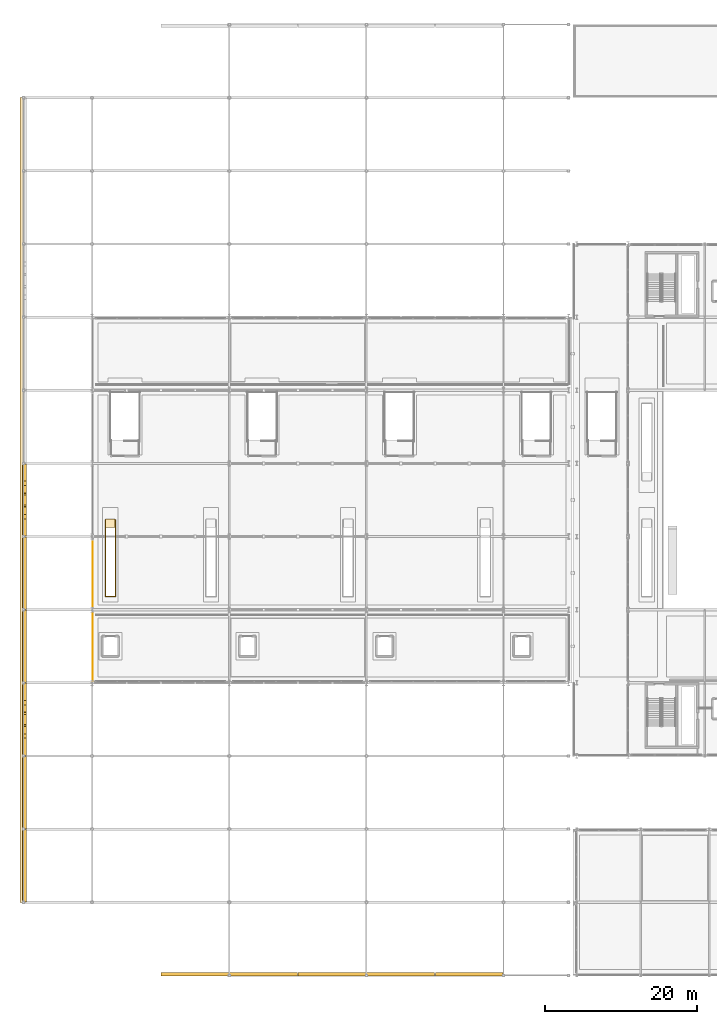
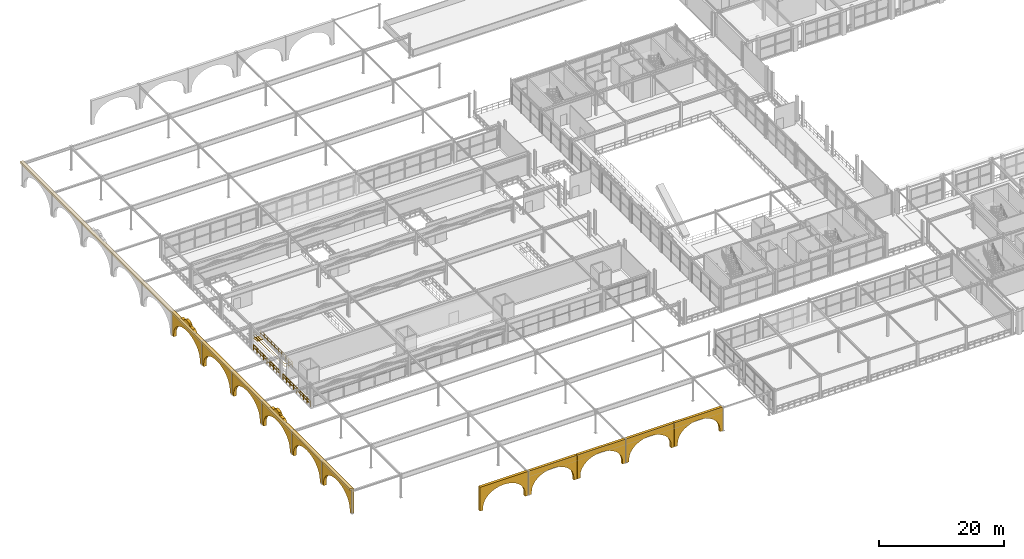
# One storey, part 93 of 125: 13 coverings, 3 railings.
"""IFC4 building model written with IfcOpenShell, lengths in metres."""

from ifc_helpers import new_model, si_unit, direction, frame, origin, origin_2d, place, context, subcontext, project, spatial, polyline, rectangle, outline, extrude, material, layer, layer_set, type_object, element, save


model = new_model("IFC4")

# Units and contexts
model_context = context("Model", 3, precision=1e-05, world=origin(), true_north=direction((0.0, 1.0)))
body_context = subcontext(model_context, "Body", "Model", "MODEL_VIEW")
ifc_project = project(units=[si_unit("LENGTHUNIT", "METRE"), si_unit("AREAUNIT", "SQUARE_METRE"), si_unit("VOLUMEUNIT", "CUBIC_METRE"), si_unit("PLANEANGLEUNIT", "RADIAN"), si_unit("MASSUNIT", "GRAM", prefix="KILO")], contexts=[model_context])

# Site, building, storey
site_placement = place(None, origin())
site = spatial("IfcSite", under=ifc_project, at=site_placement, CompositionType="ELEMENT")
building_placement = place(site_placement, origin())
building = spatial("IfcBuilding", under=site, at=building_placement, Name="Myrtia Square Station", CompositionType="ELEMENT")
storey_placement = place(building_placement, frame((0.0, 0.0, 6.0)))
storey = spatial("IfcBuildingStorey", under=building, at=storey_placement, Name="L01", CompositionType="ELEMENT", Elevation=6.0)

# Coverings
ifc_material_1 = material(Name="Pentelic marble ashlar", Category="masonry")
ifc_layer_1 = layer(ifc_material_1, 0.4599609375, Name="Pentelic marble ashlar")
ifc_layer_set_1 = layer_set([ifc_layer_1], Name="Pentelic marble ashlar")
covering_type_1 = type_object("IfcCoveringType", Name="COV-ARCH-ASHLAR", PredefinedType="CLADDING", material=ifc_layer_set_1)
for number, where, z_axis, x_axis, name in (
    (1, (0.14990234375, 9.64990234375, -0.050048828125), (0.0, 0.0, 1.0), (0.0, 1.0, 0.0), "Train shed west track-throat portal arch 052"),
    (2, (0.14990234375, 19.25, -0.050048828125), (0.0, 0.0, 1.0), (0.0, 1.0, 0.0), "Train shed west track-throat portal arch 053"),
):
    element("IfcCovering", number, at=place(storey_placement, frame(where, z_axis=z_axis, x_axis=x_axis)), inside=storey, type_object=covering_type_1, Name=name, PredefinedType="CLADDING", context=body_context, shape_type="SweptSolid", body=[
        extrude(outline(polyline([(0.0, 0.0), (0.550048828125, 0.0), (0.550048828125, 0.550048828125), (0.630615234375, 1.16455078125), (0.86962890625, 1.755615234375), (1.2578125, 2.300048828125), (1.7802734375, 2.77734375), (2.41650390625, 3.169189453125), (3.142822265625, 3.460205078125), (3.9306640625, 3.639404296875), (4.75, 3.699951171875), (5.5693359375, 3.639404296875), (6.357177734375, 3.460205078125), (7.08349609375, 3.169189453125), (7.7197265625, 2.77734375), (8.2421875, 2.300048828125), (8.63037109375, 1.755615234375), (8.869384765625, 1.16455078125), (8.949951171875, 0.550048828125), (8.949951171875, 0.0), (9.5, 0.0), (9.5, 4.670166015625), (0.0, 4.670166015625), (0.0, 0.0)])), frame((0.0, 0.25, 0.0), z_axis=(0.0, -1.0, 0.0), x_axis=(1.0, 0.0, 0.0)), (0.0, 0.0, 1.0), 0.5),
    ])
covering_1_placement = place(storey_placement, frame((0.14990234375, 28.85009765625, -0.050048828125), z_axis=(0.0, 0.0, 1.0), x_axis=(0.0, 1.0, 0.0)))
element("IfcCovering", 3, at=covering_1_placement, inside=storey, type_object=covering_type_1, Name="Train shed west track-throat portal arch 054", PredefinedType="CLADDING", context=body_context, shape_type="SweptSolid", body=[
    extrude(outline(polyline([(0.0, 0.0), (0.550048828125, 0.0), (0.550048828125, 0.550048828125), (0.630615234375, 1.16455078125), (0.86962890625, 1.755615234375), (1.2578125, 2.300048828125), (1.7802734375, 2.77734375), (2.41650390625, 3.169189453125), (3.142822265625, 3.460205078125), (3.9306640625, 3.639404296875), (4.75, 3.699951171875), (5.5693359375, 3.639404296875), (6.357177734375, 3.460205078125), (7.08349609375, 3.169189453125), (7.7197265625, 2.77734375), (8.2421875, 2.300048828125), (8.63037109375, 1.755615234375), (8.869384765625, 1.16455078125), (8.949951171875, 0.550048828125), (8.949951171875, 0.0), (9.5, 0.0), (9.5, 4.670166015625), (7.219970703125, 4.670166015625), (6.64990234375, 5.132080078125), (5.699951171875, 5.132080078125), (5.627685546875, 5.376220703125), (5.421630859375, 5.583251953125), (5.113525390625, 5.7216796875), (4.75, 5.770263671875), (4.386474609375, 5.7216796875), (4.078369140625, 5.583251953125), (3.872314453125, 5.376220703125), (3.800048828125, 5.132080078125), (2.85009765625, 5.132080078125), (2.280029296875, 4.670166015625), (0.0, 4.670166015625), (0.0, 0.0)])), frame((0.0, 0.25, 0.0), z_axis=(0.0, -1.0, 0.0), x_axis=(1.0, 0.0, 0.0)), (0.0, 0.0, 1.0), 0.5),
])
for number, where, z_axis, x_axis, name in (
    (4, (0.14990234375, 38.449951171875, -0.050048828125), (0.0, 0.0, 1.0), (0.0, 1.0, 0.0), "Train shed west track-throat portal arch 055"),
    (5, (0.14990234375, 48.050048828125, -0.050048828125), (0.0, 0.0, 1.0), (0.0, 1.0, 0.0), "Train shed west track-throat portal arch 056"),
):
    element("IfcCovering", number, at=place(storey_placement, frame(where, z_axis=z_axis, x_axis=x_axis)), inside=storey, type_object=covering_type_1, Name=name, PredefinedType="CLADDING", context=body_context, shape_type="SweptSolid", body=[
        extrude(outline(polyline([(0.0, 0.0), (0.550048828125, 0.0), (0.550048828125, 0.550048828125), (0.630615234375, 1.16455078125), (0.86962890625, 1.755615234375), (1.2578125, 2.300048828125), (1.7802734375, 2.77734375), (2.41650390625, 3.169189453125), (3.142822265625, 3.460205078125), (3.9306640625, 3.639404296875), (4.75, 3.699951171875), (5.5693359375, 3.639404296875), (6.357177734375, 3.460205078125), (7.08349609375, 3.169189453125), (7.7197265625, 2.77734375), (8.2421875, 2.300048828125), (8.63037109375, 1.755615234375), (8.869384765625, 1.16455078125), (8.949951171875, 0.550048828125), (8.949951171875, 0.0), (9.5, 0.0), (9.5, 4.670166015625), (0.0, 4.670166015625), (0.0, 0.0)])), frame((0.0, 0.25, 0.0), z_axis=(0.0, -1.0, 0.0), x_axis=(1.0, 0.0, 0.0)), (0.0, 0.0, 1.0), 0.5),
    ])
covering_2_placement = place(storey_placement, frame((0.14990234375, 57.64990234375, -0.050048828125), z_axis=(0.0, 0.0, 1.0), x_axis=(0.0, 1.0, 0.0)))
element("IfcCovering", 6, at=covering_2_placement, inside=storey, type_object=covering_type_1, Name="Train shed west track-throat portal arch 057", PredefinedType="CLADDING", context=body_context, shape_type="SweptSolid", body=[
    extrude(outline(polyline([(0.0, 0.0), (0.550048828125, 0.0), (0.550048828125, 0.550048828125), (0.630615234375, 1.16455078125), (0.86962890625, 1.755615234375), (1.2578125, 2.300048828125), (1.7802734375, 2.77734375), (2.41650390625, 3.169189453125), (3.142822265625, 3.460205078125), (3.9306640625, 3.639404296875), (4.75, 3.699951171875), (5.5693359375, 3.639404296875), (6.357177734375, 3.460205078125), (7.08349609375, 3.169189453125), (7.7197265625, 2.77734375), (8.2421875, 2.300048828125), (8.63037109375, 1.755615234375), (8.869384765625, 1.16455078125), (8.949951171875, 0.550048828125), (8.949951171875, 0.0), (9.5, 0.0), (9.5, 4.670166015625), (7.219970703125, 4.670166015625), (6.64990234375, 5.132080078125), (5.699951171875, 5.132080078125), (5.627685546875, 5.376220703125), (5.421630859375, 5.583251953125), (5.113525390625, 5.7216796875), (4.75, 5.770263671875), (4.386474609375, 5.7216796875), (4.078369140625, 5.583251953125), (3.872314453125, 5.376220703125), (3.800048828125, 5.132080078125), (2.85009765625, 5.132080078125), (2.280029296875, 4.670166015625), (0.0, 4.670166015625), (0.0, 0.0)])), frame((0.0, 0.25, 0.0), z_axis=(0.0, -1.0, 0.0), x_axis=(1.0, 0.0, 0.0)), (0.0, 0.0, 1.0), 0.5),
])
for number, where, z_axis, x_axis, name in (
    (7, (18.050048828125, 0.14990234375, -0.050048828125), (0.0, 0.0, 1.0), (1.0, 0.0, 0.0), "Train shed south clerestory arcade arch 063"),
    (8, (27.050048828125, 0.14990234375, -0.050048828125), (0.0, 0.0, 1.0), (1.0, 0.0, 0.0), "Train shed south clerestory arcade arch 065"),
    (9, (36.050048828125, 0.14990234375, -0.050048828125), (0.0, 0.0, 1.0), (1.0, 0.0, 0.0), "Train shed south clerestory arcade arch 067"),
    (10, (45.050048828125, 0.14990234375, -0.050048828125), (0.0, 0.0, 1.0), (1.0, 0.0, 0.0), "Train shed south clerestory arcade arch 069"),
    (11, (54.050048828125, 0.14990234375, -0.050048828125), (0.0, 0.0, 1.0), (1.0, 0.0, 0.0), "Train shed south clerestory arcade arch 071"),
):
    element("IfcCovering", number, at=place(storey_placement, frame(where, z_axis=z_axis, x_axis=x_axis)), inside=storey, type_object=covering_type_1, Name=name, PredefinedType="CLADDING", context=body_context, shape_type="SweptSolid", body=[
        extrude(outline(polyline([(0.0, 0.0), (0.550048828125, 0.0), (0.550048828125, 0.550048828125), (0.625, 1.16455078125), (0.846923828125, 1.755615234375), (1.207275390625, 2.300048828125), (1.6923828125, 2.77734375), (2.283203125, 3.169189453125), (2.95751953125, 3.460205078125), (3.689208984375, 3.639404296875), (4.449951171875, 3.699951171875), (5.210693359375, 3.639404296875), (5.9423828125, 3.460205078125), (6.61669921875, 3.169189453125), (7.20751953125, 2.77734375), (7.692626953125, 2.300048828125), (8.052978515625, 1.755615234375), (8.27490234375, 1.16455078125), (8.349853515625, 0.550048828125), (8.349853515625, 0.0), (8.89990234375, 0.0), (8.89990234375, 4.670166015625), (0.0, 4.670166015625), (0.0, 0.0)])), frame((0.0, 0.239990234375, 0.0), z_axis=(0.0, -1.0, 0.0), x_axis=(1.0, 0.0, 0.0)), (0.0, 0.0, 1.0), 0.47998046875),
    ])
ifc_layer_2 = layer(ifc_material_1, 0.47998046875, Name="Pentelic marble ashlar")
ifc_layer_set_2 = layer_set([ifc_layer_2], Name="Pentelic marble ashlar")
covering_type_2 = type_object("IfcCoveringType", Name="COV-CORNICE-ASHLAR", PredefinedType="MOLDING", material=ifc_layer_set_2)
covering_3_placement = place(storey_placement, frame((-0.169921875, 62.39990234375, 4.5400390625), z_axis=(0.0, 0.0, 1.0), x_axis=(0.0, 1.0, 0.0)))
element("IfcCovering", 12, at=covering_3_placement, inside=storey, type_object=covering_type_2, Name="Classical entablature cornice moulding 016", PredefinedType="MOLDING", context=body_context, shape_type="SweptSolid", body=[
    extrude(rectangle(XDim=105.60009765625, YDim=0.580078125, at=origin_2d()), origin(), (0.0, 0.0, 1.0), 0.360107421875),
])
ifc_material_2 = material(Name="Terrazzo stone tile", Category="masonry")
ifc_layer_3 = layer(ifc_material_2, 0.02490234375, Name="Terrazzo stone tile")
ifc_layer_set_3 = layer_set([ifc_layer_3], Name="Terrazzo stone tile")
covering_type_3 = type_object("IfcCoveringType", Name="COV-FLR-TERRAZZO", PredefinedType="FLOORING", material=ifc_layer_set_3)
covering_4_placement = place(storey_placement, frame((0.0, 0.0, -0.080078125)))
element("IfcCovering", 13, at=covering_4_placement, inside=storey, type_object=covering_type_3, Name="Escalator ESC-01 upper comb landing", PredefinedType="FLOORING", context=body_context, shape_type="SweptSolid", body=[
    extrude(outline(polyline([(10.780029296875, 58.81005859375), (12.02001953125, 58.81005859375), (12.02001953125, 59.909912109375), (10.780029296875, 59.909912109375), (10.780029296875, 58.81005859375)])), origin(), (0.0, 0.0, 1.0), 0.080078125),
])

# Railings
ifc_material_3 = material(Name="Wrought iron", Category="steel")
railing_type = type_object("IfcRailingType", Name="RL-INT-GUARD-1100", PredefinedType="BALUSTRADE", material=ifc_material_3)
railing_1_placement = place(storey_placement, frame((10.739990234375, 59.81005859375, 0.0)))
element("IfcRailing", 14, at=railing_1_placement, inside=storey, type_object=railing_type, Name="Escalator ESC-01 upper well guard", PredefinedType="BALUSTRADE", context=body_context, shape_type="SweptSolid", body=[
    extrude(rectangle(XDim=0.048095703125, YDim=0.048095703125, at=origin_2d()), frame((0.0, -0.03466796875, 1.09619140625), z_axis=(0.0, -1.0, 0.0), x_axis=(1.0, 0.0, 0.0)), (0.0, 0.0, 1.0), 1.0517578125),
    extrude(rectangle(XDim=0.048095703125, YDim=0.048095703125, at=origin_2d()), frame((0.0, -0.03466796875, 0.58251953125), z_axis=(0.0, -1.0, 0.0), x_axis=(1.0, 0.0, 0.0)), (0.0, 0.0, 1.0), 1.0517578125),
    extrude(rectangle(XDim=0.048095703125, YDim=0.048095703125, at=origin_2d()), frame((0.0, -1.15576171875, 1.09619140625), z_axis=(0.0, -1.0, 0.0), x_axis=(1.0, 0.0, 0.0)), (0.0, 0.0, 1.0), 1.0517578125),
    extrude(rectangle(XDim=0.048095703125, YDim=0.048095703125, at=origin_2d()), frame((0.0, -1.15576171875, 0.58251953125), z_axis=(0.0, -1.0, 0.0), x_axis=(1.0, 0.0, 0.0)), (0.0, 0.0, 1.0), 1.0517578125),
    extrude(rectangle(XDim=0.048095703125, YDim=0.048095703125, at=origin_2d()), frame((0.0, -2.27685546875, 1.09619140625), z_axis=(0.0, -1.0, 0.0), x_axis=(1.0, 0.0, 0.0)), (0.0, 0.0, 1.0), 1.0517578125),
    extrude(rectangle(XDim=0.048095703125, YDim=0.048095703125, at=origin_2d()), frame((0.0, -2.27685546875, 0.58251953125), z_axis=(0.0, -1.0, 0.0), x_axis=(1.0, 0.0, 0.0)), (0.0, 0.0, 1.0), 1.0517578125),
    extrude(rectangle(XDim=0.048095703125, YDim=0.048095703125, at=origin_2d()), frame((0.0, -3.39794921875, 1.09619140625), z_axis=(0.0, -1.0, 0.0), x_axis=(1.0, 0.0, 0.0)), (0.0, 0.0, 1.0), 1.0517578125),
    extrude(rectangle(XDim=0.048095703125, YDim=0.048095703125, at=origin_2d()), frame((0.0, -3.39794921875, 0.58251953125), z_axis=(0.0, -1.0, 0.0), x_axis=(1.0, 0.0, 0.0)), (0.0, 0.0, 1.0), 1.0517578125),
    extrude(rectangle(XDim=0.048095703125, YDim=0.048095703125, at=origin_2d()), frame((0.0, -4.51904296875, 1.09619140625), z_axis=(0.0, -1.0, 0.0), x_axis=(1.0, 0.0, 0.0)), (0.0, 0.0, 1.0), 1.0517578125),
    extrude(rectangle(XDim=0.048095703125, YDim=0.048095703125, at=origin_2d()), frame((0.0, -4.51904296875, 0.58251953125), z_axis=(0.0, -1.0, 0.0), x_axis=(1.0, 0.0, 0.0)), (0.0, 0.0, 1.0), 1.0517578125),
    extrude(rectangle(XDim=0.048095703125, YDim=0.048095703125, at=origin_2d()), frame((0.0, -5.64013671875, 1.09619140625), z_axis=(0.0, -1.0, 0.0), x_axis=(1.0, 0.0, 0.0)), (0.0, 0.0, 1.0), 1.0517578125),
    extrude(rectangle(XDim=0.048095703125, YDim=0.048095703125, at=origin_2d()), frame((0.0, -5.64013671875, 0.58251953125), z_axis=(0.0, -1.0, 0.0), x_axis=(1.0, 0.0, 0.0)), (0.0, 0.0, 1.0), 1.0517578125),
    extrude(rectangle(XDim=0.048095703125, YDim=0.048095703125, at=origin_2d()), frame((0.0, -6.761474609375, 1.09619140625), z_axis=(0.0, -1.0, 0.0), x_axis=(1.0, 0.0, 0.0)), (0.0, 0.0, 1.0), 1.0517578125),
    extrude(rectangle(XDim=0.048095703125, YDim=0.048095703125, at=origin_2d()), frame((0.0, -6.761474609375, 0.58251953125), z_axis=(0.0, -1.0, 0.0), x_axis=(1.0, 0.0, 0.0)), (0.0, 0.0, 1.0), 1.0517578125),
    extrude(rectangle(XDim=0.048095703125, YDim=0.048095703125, at=origin_2d()), frame((0.0, -7.882568359375, 1.09619140625), z_axis=(0.0, -1.0, 0.0), x_axis=(1.0, 0.0, 0.0)), (0.0, 0.0, 1.0), 1.0517578125),
    extrude(rectangle(XDim=0.048095703125, YDim=0.048095703125, at=origin_2d()), frame((0.0, -7.882568359375, 0.58251953125), z_axis=(0.0, -1.0, 0.0), x_axis=(1.0, 0.0, 0.0)), (0.0, 0.0, 1.0), 1.0517578125),
    extrude(rectangle(XDim=0.048095703125, YDim=0.048095703125, at=origin_2d()), frame((0.0, -9.003662109375, 1.09619140625), z_axis=(0.0, -1.0, 0.0), x_axis=(1.0, 0.0, 0.0)), (0.0, 0.0, 1.0), 1.0517578125),
    extrude(rectangle(XDim=0.048095703125, YDim=0.048095703125, at=origin_2d()), frame((0.0, -9.003662109375, 0.58251953125), z_axis=(0.0, -1.0, 0.0), x_axis=(1.0, 0.0, 0.0)), (0.0, 0.0, 1.0), 1.0517578125),
    extrude(rectangle(XDim=0.048095703125, YDim=0.048095703125, at=origin_2d()), frame((0.03466796875, -10.090087890625, 1.09619140625), z_axis=(1.0, 0.0, 0.0), x_axis=(0.0, 1.0, 0.0)), (0.0, 0.0, 1.0), 0.5908203125),
    extrude(rectangle(XDim=0.048095703125, YDim=0.048095703125, at=origin_2d()), frame((0.03466796875, -10.090087890625, 0.58251953125), z_axis=(1.0, 0.0, 0.0), x_axis=(0.0, 1.0, 0.0)), (0.0, 0.0, 1.0), 0.5908203125),
    extrude(rectangle(XDim=0.048095703125, YDim=0.048095703125, at=origin_2d()), frame((0.694580078125, -10.090087890625, 1.09619140625), z_axis=(1.0, 0.0, 0.0), x_axis=(0.0, 1.0, 0.0)), (0.0, 0.0, 1.0), 0.5908203125),
    extrude(rectangle(XDim=0.048095703125, YDim=0.048095703125, at=origin_2d()), frame((0.694580078125, -10.090087890625, 0.58251953125), z_axis=(1.0, 0.0, 0.0), x_axis=(0.0, 1.0, 0.0)), (0.0, 0.0, 1.0), 0.5908203125),
    extrude(rectangle(XDim=0.048095703125, YDim=0.048095703125, at=origin_2d()), frame((1.320068359375, -10.055419921875, 1.09619140625), z_axis=(0.0, 1.0, 0.0), x_axis=(-1.0, 0.0, 0.0)), (0.0, 0.0, 1.0), 1.0517578125),
    extrude(rectangle(XDim=0.048095703125, YDim=0.048095703125, at=origin_2d()), frame((1.320068359375, -10.055419921875, 0.58251953125), z_axis=(0.0, 1.0, 0.0), x_axis=(-1.0, 0.0, 0.0)), (0.0, 0.0, 1.0), 1.0517578125),
    extrude(rectangle(XDim=0.048095703125, YDim=0.048095703125, at=origin_2d()), frame((1.320068359375, -8.934326171875, 1.09619140625), z_axis=(0.0, 1.0, 0.0), x_axis=(-1.0, 0.0, 0.0)), (0.0, 0.0, 1.0), 1.0517578125),
    extrude(rectangle(XDim=0.048095703125, YDim=0.048095703125, at=origin_2d()), frame((1.320068359375, -8.934326171875, 0.58251953125), z_axis=(0.0, 1.0, 0.0), x_axis=(-1.0, 0.0, 0.0)), (0.0, 0.0, 1.0), 1.0517578125),
    extrude(rectangle(XDim=0.048095703125, YDim=0.048095703125, at=origin_2d()), frame((1.320068359375, -7.813232421875, 1.09619140625), z_axis=(0.0, 1.0, 0.0), x_axis=(-1.0, 0.0, 0.0)), (0.0, 0.0, 1.0), 1.0517578125),
    extrude(rectangle(XDim=0.048095703125, YDim=0.048095703125, at=origin_2d()), frame((1.320068359375, -7.813232421875, 0.58251953125), z_axis=(0.0, 1.0, 0.0), x_axis=(-1.0, 0.0, 0.0)), (0.0, 0.0, 1.0), 1.0517578125),
    extrude(rectangle(XDim=0.048095703125, YDim=0.048095703125, at=origin_2d()), frame((1.320068359375, -6.692138671875, 1.09619140625), z_axis=(0.0, 1.0, 0.0), x_axis=(-1.0, 0.0, 0.0)), (0.0, 0.0, 1.0), 1.0517578125),
    extrude(rectangle(XDim=0.048095703125, YDim=0.048095703125, at=origin_2d()), frame((1.320068359375, -6.692138671875, 0.58251953125), z_axis=(0.0, 1.0, 0.0), x_axis=(-1.0, 0.0, 0.0)), (0.0, 0.0, 1.0), 1.0517578125),
    extrude(rectangle(XDim=0.048095703125, YDim=0.048095703125, at=origin_2d()), frame((1.320068359375, -5.571044921875, 1.09619140625), z_axis=(0.0, 1.0, 0.0), x_axis=(-1.0, 0.0, 0.0)), (0.0, 0.0, 1.0), 1.0517578125),
    extrude(rectangle(XDim=0.048095703125, YDim=0.048095703125, at=origin_2d()), frame((1.320068359375, -5.571044921875, 0.58251953125), z_axis=(0.0, 1.0, 0.0), x_axis=(-1.0, 0.0, 0.0)), (0.0, 0.0, 1.0), 1.0517578125),
    extrude(rectangle(XDim=0.048095703125, YDim=0.048095703125, at=origin_2d()), frame((1.320068359375, -4.449951171875, 1.09619140625), z_axis=(0.0, 1.0, 0.0), x_axis=(-1.0, 0.0, 0.0)), (0.0, 0.0, 1.0), 1.0517578125),
    extrude(rectangle(XDim=0.048095703125, YDim=0.048095703125, at=origin_2d()), frame((1.320068359375, -4.449951171875, 0.58251953125), z_axis=(0.0, 1.0, 0.0), x_axis=(-1.0, 0.0, 0.0)), (0.0, 0.0, 1.0), 1.0517578125),
    extrude(rectangle(XDim=0.048095703125, YDim=0.048095703125, at=origin_2d()), frame((1.320068359375, -3.32861328125, 1.09619140625), z_axis=(0.0, 1.0, 0.0), x_axis=(-1.0, 0.0, 0.0)), (0.0, 0.0, 1.0), 1.0517578125),
    extrude(rectangle(XDim=0.048095703125, YDim=0.048095703125, at=origin_2d()), frame((1.320068359375, -3.32861328125, 0.58251953125), z_axis=(0.0, 1.0, 0.0), x_axis=(-1.0, 0.0, 0.0)), (0.0, 0.0, 1.0), 1.0517578125),
    extrude(rectangle(XDim=0.048095703125, YDim=0.048095703125, at=origin_2d()), frame((1.320068359375, -2.20751953125, 1.09619140625), z_axis=(0.0, 1.0, 0.0), x_axis=(-1.0, 0.0, 0.0)), (0.0, 0.0, 1.0), 1.0517578125),
    extrude(rectangle(XDim=0.048095703125, YDim=0.048095703125, at=origin_2d()), frame((1.320068359375, -2.20751953125, 0.58251953125), z_axis=(0.0, 1.0, 0.0), x_axis=(-1.0, 0.0, 0.0)), (0.0, 0.0, 1.0), 1.0517578125),
    extrude(rectangle(XDim=0.048095703125, YDim=0.048095703125, at=origin_2d()), frame((1.320068359375, -1.08642578125, 1.09619140625), z_axis=(0.0, 1.0, 0.0), x_axis=(-1.0, 0.0, 0.0)), (0.0, 0.0, 1.0), 1.0517578125),
    extrude(rectangle(XDim=0.048095703125, YDim=0.048095703125, at=origin_2d()), frame((1.320068359375, -1.08642578125, 0.58251953125), z_axis=(0.0, 1.0, 0.0), x_axis=(-1.0, 0.0, 0.0)), (0.0, 0.0, 1.0), 1.0517578125),
    extrude(rectangle(XDim=0.0439453125, YDim=0.0439453125, at=origin_2d()), origin(), (0.0, 0.0, 1.0), 1.1201171875),
    extrude(rectangle(XDim=0.0439453125, YDim=0.0439453125, at=origin_2d()), frame((0.0, -1.12109375, 0.0)), (0.0, 0.0, 1.0), 1.1201171875),
    extrude(rectangle(XDim=0.0439453125, YDim=0.0439453125, at=origin_2d()), frame((0.0, -2.2421875, 0.0)), (0.0, 0.0, 1.0), 1.1201171875),
    extrude(rectangle(XDim=0.0439453125, YDim=0.0439453125, at=origin_2d()), frame((0.0, -3.36328125, 0.0)), (0.0, 0.0, 1.0), 1.1201171875),
    extrude(rectangle(XDim=0.0439453125, YDim=0.0439453125, at=origin_2d()), frame((0.0, -4.484375, 0.0)), (0.0, 0.0, 1.0), 1.1201171875),
    extrude(rectangle(XDim=0.0439453125, YDim=0.0439453125, at=origin_2d()), frame((0.0, -5.605712890625, 0.0)), (0.0, 0.0, 1.0), 1.1201171875),
    extrude(rectangle(XDim=0.0439453125, YDim=0.0439453125, at=origin_2d()), frame((0.0, -6.726806640625, 0.0)), (0.0, 0.0, 1.0), 1.1201171875),
    extrude(rectangle(XDim=0.0439453125, YDim=0.0439453125, at=origin_2d()), frame((0.0, -7.847900390625, 0.0)), (0.0, 0.0, 1.0), 1.1201171875),
    extrude(rectangle(XDim=0.0439453125, YDim=0.0439453125, at=origin_2d()), frame((0.0, -8.968994140625, 0.0)), (0.0, 0.0, 1.0), 1.1201171875),
    extrude(rectangle(XDim=0.0439453125, YDim=0.0439453125, at=origin_2d()), frame((0.0, -10.090087890625, 0.0)), (0.0, 0.0, 1.0), 1.1201171875),
    extrude(rectangle(XDim=0.0439453125, YDim=0.0439453125, at=origin_2d()), frame((0.66015625, -10.090087890625, 0.0)), (0.0, 0.0, 1.0), 1.1201171875),
    extrude(rectangle(XDim=0.0439453125, YDim=0.0439453125, at=origin_2d()), frame((1.320068359375, -10.090087890625, 0.0)), (0.0, 0.0, 1.0), 1.1201171875),
    extrude(rectangle(XDim=0.0439453125, YDim=0.0439453125, at=origin_2d()), frame((1.320068359375, -8.968994140625, 0.0)), (0.0, 0.0, 1.0), 1.1201171875),
    extrude(rectangle(XDim=0.0439453125, YDim=0.0439453125, at=origin_2d()), frame((1.320068359375, -7.847900390625, 0.0)), (0.0, 0.0, 1.0), 1.1201171875),
    extrude(rectangle(XDim=0.0439453125, YDim=0.0439453125, at=origin_2d()), frame((1.320068359375, -6.726806640625, 0.0)), (0.0, 0.0, 1.0), 1.1201171875),
    extrude(rectangle(XDim=0.0439453125, YDim=0.0439453125, at=origin_2d()), frame((1.320068359375, -5.605712890625, 0.0)), (0.0, 0.0, 1.0), 1.1201171875),
    extrude(rectangle(XDim=0.0439453125, YDim=0.0439453125, at=origin_2d()), frame((1.320068359375, -4.484375, 0.0)), (0.0, 0.0, 1.0), 1.1201171875),
    extrude(rectangle(XDim=0.0439453125, YDim=0.0439453125, at=origin_2d()), frame((1.320068359375, -3.36328125, 0.0)), (0.0, 0.0, 1.0), 1.1201171875),
    extrude(rectangle(XDim=0.0439453125, YDim=0.0439453125, at=origin_2d()), frame((1.320068359375, -2.2421875, 0.0)), (0.0, 0.0, 1.0), 1.1201171875),
    extrude(rectangle(XDim=0.0439453125, YDim=0.0439453125, at=origin_2d()), frame((1.320068359375, -1.12109375, 0.0)), (0.0, 0.0, 1.0), 1.1201171875),
    extrude(rectangle(XDim=0.0439453125, YDim=0.0439453125, at=origin_2d()), frame((1.320068359375, 0.0, 0.0)), (0.0, 0.0, 1.0), 1.1201171875),
])
railing_2_placement = place(storey_placement, frame((9.080078125, 56.910888671875, 0.0)))
element("IfcRailing", 15, at=railing_2_placement, inside=storey, type_object=railing_type, Name="Perimeter slab edge balustrade L01-005", PredefinedType="BALUSTRADE", context=body_context, shape_type="SweptSolid", body=[
    extrude(rectangle(XDim=0.048095703125, YDim=0.048095703125, at=origin_2d()), frame((0.0, -0.03466796875, 1.09619140625), z_axis=(0.0, -1.0, 0.0), x_axis=(1.0, 0.0, 0.0)), (0.0, 0.0, 1.0), 0.990966796875),
    extrude(rectangle(XDim=0.048095703125, YDim=0.048095703125, at=origin_2d()), frame((0.0, -0.03466796875, 0.58251953125), z_axis=(0.0, -1.0, 0.0), x_axis=(1.0, 0.0, 0.0)), (0.0, 0.0, 1.0), 0.990966796875),
    extrude(rectangle(XDim=0.048095703125, YDim=0.048095703125, at=origin_2d()), frame((0.0, -1.094970703125, 1.09619140625), z_axis=(0.0, -1.0, 0.0), x_axis=(1.0, 0.0, 0.0)), (0.0, 0.0, 1.0), 0.990966796875),
    extrude(rectangle(XDim=0.048095703125, YDim=0.048095703125, at=origin_2d()), frame((0.0, -1.094970703125, 0.58251953125), z_axis=(0.0, -1.0, 0.0), x_axis=(1.0, 0.0, 0.0)), (0.0, 0.0, 1.0), 0.990966796875),
    extrude(rectangle(XDim=0.048095703125, YDim=0.048095703125, at=origin_2d()), frame((0.0, -2.155029296875, 1.09619140625), z_axis=(0.0, -1.0, 0.0), x_axis=(1.0, 0.0, 0.0)), (0.0, 0.0, 1.0), 0.990966796875),
    extrude(rectangle(XDim=0.048095703125, YDim=0.048095703125, at=origin_2d()), frame((0.0, -2.155029296875, 0.58251953125), z_axis=(0.0, -1.0, 0.0), x_axis=(1.0, 0.0, 0.0)), (0.0, 0.0, 1.0), 0.990966796875),
    extrude(rectangle(XDim=0.048095703125, YDim=0.048095703125, at=origin_2d()), frame((0.0, -3.21533203125, 1.09619140625), z_axis=(0.0, -1.0, 0.0), x_axis=(1.0, 0.0, 0.0)), (0.0, 0.0, 1.0), 0.990966796875),
    extrude(rectangle(XDim=0.048095703125, YDim=0.048095703125, at=origin_2d()), frame((0.0, -3.21533203125, 0.58251953125), z_axis=(0.0, -1.0, 0.0), x_axis=(1.0, 0.0, 0.0)), (0.0, 0.0, 1.0), 0.990966796875),
    extrude(rectangle(XDim=0.048095703125, YDim=0.048095703125, at=origin_2d()), frame((0.0, -4.275634765625, 1.09619140625), z_axis=(0.0, -1.0, 0.0), x_axis=(1.0, 0.0, 0.0)), (0.0, 0.0, 1.0), 0.990966796875),
    extrude(rectangle(XDim=0.048095703125, YDim=0.048095703125, at=origin_2d()), frame((0.0, -4.275634765625, 0.58251953125), z_axis=(0.0, -1.0, 0.0), x_axis=(1.0, 0.0, 0.0)), (0.0, 0.0, 1.0), 0.990966796875),
    extrude(rectangle(XDim=0.048095703125, YDim=0.048095703125, at=origin_2d()), frame((0.0, -5.3359375, 1.09619140625), z_axis=(0.0, -1.0, 0.0), x_axis=(1.0, 0.0, 0.0)), (0.0, 0.0, 1.0), 0.990966796875),
    extrude(rectangle(XDim=0.048095703125, YDim=0.048095703125, at=origin_2d()), frame((0.0, -5.3359375, 0.58251953125), z_axis=(0.0, -1.0, 0.0), x_axis=(1.0, 0.0, 0.0)), (0.0, 0.0, 1.0), 0.990966796875),
    extrude(rectangle(XDim=0.048095703125, YDim=0.048095703125, at=origin_2d()), frame((0.0, -6.39599609375, 1.09619140625), z_axis=(0.0, -1.0, 0.0), x_axis=(1.0, 0.0, 0.0)), (0.0, 0.0, 1.0), 0.990966796875),
    extrude(rectangle(XDim=0.048095703125, YDim=0.048095703125, at=origin_2d()), frame((0.0, -6.39599609375, 0.58251953125), z_axis=(0.0, -1.0, 0.0), x_axis=(1.0, 0.0, 0.0)), (0.0, 0.0, 1.0), 0.990966796875),
    extrude(rectangle(XDim=0.048095703125, YDim=0.048095703125, at=origin_2d()), frame((0.0, -7.456298828125, 1.09619140625), z_axis=(0.0, -1.0, 0.0), x_axis=(1.0, 0.0, 0.0)), (0.0, 0.0, 1.0), 0.990966796875),
    extrude(rectangle(XDim=0.048095703125, YDim=0.048095703125, at=origin_2d()), frame((0.0, -7.456298828125, 0.58251953125), z_axis=(0.0, -1.0, 0.0), x_axis=(1.0, 0.0, 0.0)), (0.0, 0.0, 1.0), 0.990966796875),
    extrude(rectangle(XDim=0.0439453125, YDim=0.0439453125, at=origin_2d()), origin(), (0.0, 0.0, 1.0), 1.1201171875),
    extrude(rectangle(XDim=0.0439453125, YDim=0.0439453125, at=origin_2d()), frame((0.0, -1.060302734375, 0.0)), (0.0, 0.0, 1.0), 1.1201171875),
    extrude(rectangle(XDim=0.0439453125, YDim=0.0439453125, at=origin_2d()), frame((0.0, -2.12060546875, 0.0)), (0.0, 0.0, 1.0), 1.1201171875),
    extrude(rectangle(XDim=0.0439453125, YDim=0.0439453125, at=origin_2d()), frame((0.0, -3.1806640625, 0.0)), (0.0, 0.0, 1.0), 1.1201171875),
    extrude(rectangle(XDim=0.0439453125, YDim=0.0439453125, at=origin_2d()), frame((0.0, -4.240966796875, 0.0)), (0.0, 0.0, 1.0), 1.1201171875),
    extrude(rectangle(XDim=0.0439453125, YDim=0.0439453125, at=origin_2d()), frame((0.0, -5.30126953125, 0.0)), (0.0, 0.0, 1.0), 1.1201171875),
    extrude(rectangle(XDim=0.0439453125, YDim=0.0439453125, at=origin_2d()), frame((0.0, -6.361328125, 0.0)), (0.0, 0.0, 1.0), 1.1201171875),
    extrude(rectangle(XDim=0.0439453125, YDim=0.0439453125, at=origin_2d()), frame((0.0, -7.421630859375, 0.0)), (0.0, 0.0, 1.0), 1.1201171875),
    extrude(rectangle(XDim=0.0439453125, YDim=0.0439453125, at=origin_2d()), frame((0.0, -8.48193359375, 0.0)), (0.0, 0.0, 1.0), 1.1201171875),
])
railing_3_placement = place(storey_placement, frame((9.080078125, 47.430908203125, 0.0)))
element("IfcRailing", 16, at=railing_3_placement, inside=storey, type_object=railing_type, Name="Perimeter slab edge balustrade L01-006", PredefinedType="BALUSTRADE", context=body_context, shape_type="SweptSolid", body=[
    extrude(rectangle(XDim=0.048095703125, YDim=0.048095703125, at=origin_2d()), frame((0.0, -0.03466796875, 1.09619140625), z_axis=(0.0, -1.0, 0.0), x_axis=(1.0, 0.0, 0.0)), (0.0, 0.0, 1.0), 1.022216796875),
    extrude(rectangle(XDim=0.048095703125, YDim=0.048095703125, at=origin_2d()), frame((0.0, -0.03466796875, 0.58251953125), z_axis=(0.0, -1.0, 0.0), x_axis=(1.0, 0.0, 0.0)), (0.0, 0.0, 1.0), 1.022216796875),
    extrude(rectangle(XDim=0.048095703125, YDim=0.048095703125, at=origin_2d()), frame((0.0, -1.126220703125, 1.09619140625), z_axis=(0.0, -1.0, 0.0), x_axis=(1.0, 0.0, 0.0)), (0.0, 0.0, 1.0), 1.022216796875),
    extrude(rectangle(XDim=0.048095703125, YDim=0.048095703125, at=origin_2d()), frame((0.0, -1.126220703125, 0.58251953125), z_axis=(0.0, -1.0, 0.0), x_axis=(1.0, 0.0, 0.0)), (0.0, 0.0, 1.0), 1.022216796875),
    extrude(rectangle(XDim=0.048095703125, YDim=0.048095703125, at=origin_2d()), frame((0.0, -2.217529296875, 1.09619140625), z_axis=(0.0, -1.0, 0.0), x_axis=(1.0, 0.0, 0.0)), (0.0, 0.0, 1.0), 1.022216796875),
    extrude(rectangle(XDim=0.048095703125, YDim=0.048095703125, at=origin_2d()), frame((0.0, -2.217529296875, 0.58251953125), z_axis=(0.0, -1.0, 0.0), x_axis=(1.0, 0.0, 0.0)), (0.0, 0.0, 1.0), 1.022216796875),
    extrude(rectangle(XDim=0.048095703125, YDim=0.048095703125, at=origin_2d()), frame((0.0, -3.30908203125, 1.09619140625), z_axis=(0.0, -1.0, 0.0), x_axis=(1.0, 0.0, 0.0)), (0.0, 0.0, 1.0), 1.022216796875),
    extrude(rectangle(XDim=0.048095703125, YDim=0.048095703125, at=origin_2d()), frame((0.0, -3.30908203125, 0.58251953125), z_axis=(0.0, -1.0, 0.0), x_axis=(1.0, 0.0, 0.0)), (0.0, 0.0, 1.0), 1.022216796875),
    extrude(rectangle(XDim=0.048095703125, YDim=0.048095703125, at=origin_2d()), frame((0.0, -4.400634765625, 1.09619140625), z_axis=(0.0, -1.0, 0.0), x_axis=(1.0, 0.0, 0.0)), (0.0, 0.0, 1.0), 1.022216796875),
    extrude(rectangle(XDim=0.048095703125, YDim=0.048095703125, at=origin_2d()), frame((0.0, -4.400634765625, 0.58251953125), z_axis=(0.0, -1.0, 0.0), x_axis=(1.0, 0.0, 0.0)), (0.0, 0.0, 1.0), 1.022216796875),
    extrude(rectangle(XDim=0.048095703125, YDim=0.048095703125, at=origin_2d()), frame((0.0, -5.4921875, 1.09619140625), z_axis=(0.0, -1.0, 0.0), x_axis=(1.0, 0.0, 0.0)), (0.0, 0.0, 1.0), 1.022216796875),
    extrude(rectangle(XDim=0.048095703125, YDim=0.048095703125, at=origin_2d()), frame((0.0, -5.4921875, 0.58251953125), z_axis=(0.0, -1.0, 0.0), x_axis=(1.0, 0.0, 0.0)), (0.0, 0.0, 1.0), 1.022216796875),
    extrude(rectangle(XDim=0.048095703125, YDim=0.048095703125, at=origin_2d()), frame((0.0, -6.58349609375, 1.09619140625), z_axis=(0.0, -1.0, 0.0), x_axis=(1.0, 0.0, 0.0)), (0.0, 0.0, 1.0), 1.022216796875),
    extrude(rectangle(XDim=0.048095703125, YDim=0.048095703125, at=origin_2d()), frame((0.0, -6.58349609375, 0.58251953125), z_axis=(0.0, -1.0, 0.0), x_axis=(1.0, 0.0, 0.0)), (0.0, 0.0, 1.0), 1.022216796875),
    extrude(rectangle(XDim=0.048095703125, YDim=0.048095703125, at=origin_2d()), frame((0.0, -7.675048828125, 1.09619140625), z_axis=(0.0, -1.0, 0.0), x_axis=(1.0, 0.0, 0.0)), (0.0, 0.0, 1.0), 1.022216796875),
    extrude(rectangle(XDim=0.048095703125, YDim=0.048095703125, at=origin_2d()), frame((0.0, -7.675048828125, 0.58251953125), z_axis=(0.0, -1.0, 0.0), x_axis=(1.0, 0.0, 0.0)), (0.0, 0.0, 1.0), 1.022216796875),
    extrude(rectangle(XDim=0.0439453125, YDim=0.0439453125, at=origin_2d()), origin(), (0.0, 0.0, 1.0), 1.1201171875),
    extrude(rectangle(XDim=0.0439453125, YDim=0.0439453125, at=origin_2d()), frame((0.0, -1.091552734375, 0.0)), (0.0, 0.0, 1.0), 1.1201171875),
    extrude(rectangle(XDim=0.0439453125, YDim=0.0439453125, at=origin_2d()), frame((0.0, -2.18310546875, 0.0)), (0.0, 0.0, 1.0), 1.1201171875),
    extrude(rectangle(XDim=0.0439453125, YDim=0.0439453125, at=origin_2d()), frame((0.0, -3.2744140625, 0.0)), (0.0, 0.0, 1.0), 1.1201171875),
    extrude(rectangle(XDim=0.0439453125, YDim=0.0439453125, at=origin_2d()), frame((0.0, -4.365966796875, 0.0)), (0.0, 0.0, 1.0), 1.1201171875),
    extrude(rectangle(XDim=0.0439453125, YDim=0.0439453125, at=origin_2d()), frame((0.0, -5.45751953125, 0.0)), (0.0, 0.0, 1.0), 1.1201171875),
    extrude(rectangle(XDim=0.0439453125, YDim=0.0439453125, at=origin_2d()), frame((0.0, -6.548828125, 0.0)), (0.0, 0.0, 1.0), 1.1201171875),
    extrude(rectangle(XDim=0.0439453125, YDim=0.0439453125, at=origin_2d()), frame((0.0, -7.640380859375, 0.0)), (0.0, 0.0, 1.0), 1.1201171875),
    extrude(rectangle(XDim=0.0439453125, YDim=0.0439453125, at=origin_2d()), frame((0.0, -8.73193359375, 0.0)), (0.0, 0.0, 1.0), 1.1201171875),
])

save(model, "model.ifc")
